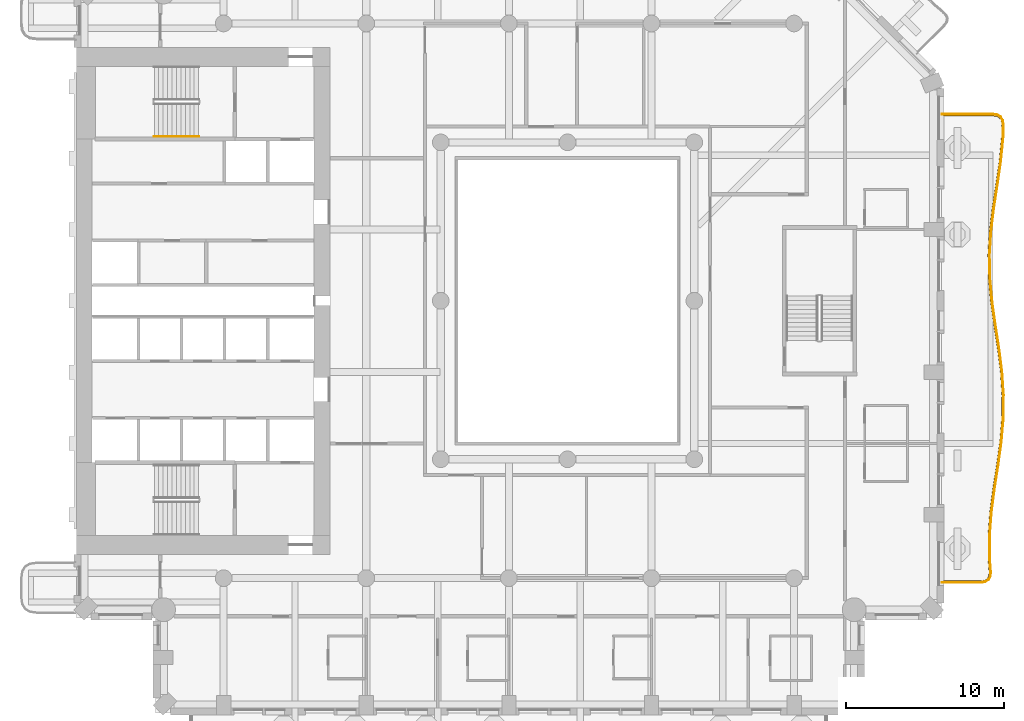
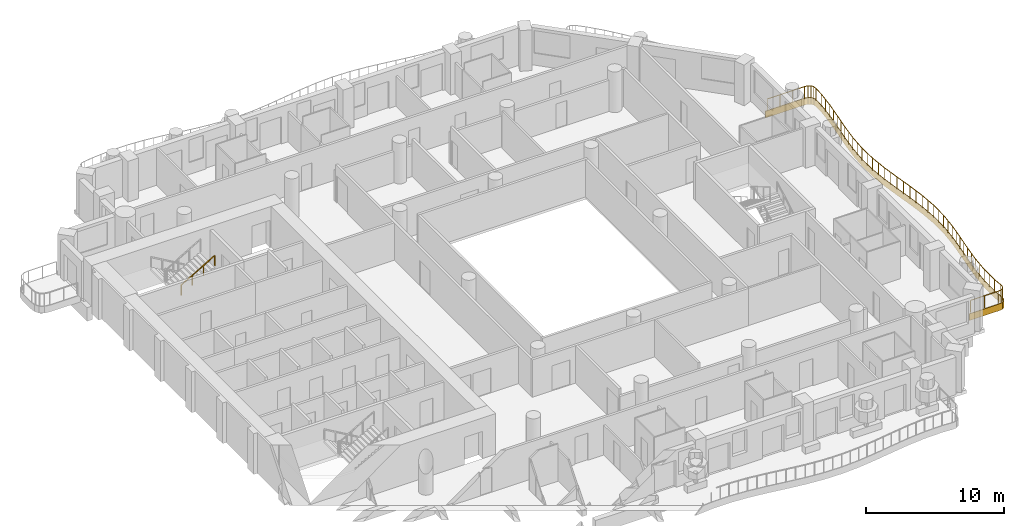
# One storey, part 15 of 19: 2 railings, 1 covering.
"""IFC4 building model written with IfcOpenShell, lengths in metres."""

from ifc_helpers import new_model, si_unit, direction, frame, origin, origin_2d, place, context, subcontext, project, spatial, polyline, rectangle, outline, extrude, material, layer, layer_set, type_object, element, save


model = new_model("IFC4")

# Units and contexts
model_context = context("Model", 3, precision=1e-05, world=origin(), true_north=direction((0.0, 1.0)))
body_context = subcontext(model_context, "Body", "Model", "MODEL_VIEW")
ifc_project = project(units=[si_unit("LENGTHUNIT", "METRE"), si_unit("AREAUNIT", "SQUARE_METRE"), si_unit("VOLUMEUNIT", "CUBIC_METRE"), si_unit("PLANEANGLEUNIT", "RADIAN"), si_unit("MASSUNIT", "GRAM", prefix="KILO")], contexts=[model_context])

# Site, building, storey
site_placement = place(None, origin())
site = spatial("IfcSite", under=ifc_project, at=site_placement, CompositionType="ELEMENT")
building_placement = place(site_placement, origin())
building = spatial("IfcBuilding", under=site, at=building_placement, Name="Cypress Arch Tower", CompositionType="ELEMENT")
storey_placement = place(building_placement, frame((0.0, 0.0, 105.89990234375)))
storey = spatial("IfcBuildingStorey", under=building, at=storey_placement, Name="L21", CompositionType="ELEMENT", Elevation=105.89990234375)

# Covering
ifc_material_1 = material(Name="White powder-coated aluminium fascia", Category="aluminium")
ifc_layer = layer(ifc_material_1, 0.050048828125)
ifc_layer_set = layer_set([ifc_layer], Name="Balcony fascia BF50")
covering_type = type_object("IfcCoveringType", Name="Balcony fascia BF50", PredefinedType="CLADDING", material=ifc_layer_set)
covering_placement = place(storey_placement, frame((0.0, 0.0, -0.599853515625)))
element("IfcCovering", 1, at=covering_placement, inside=storey, type_object=covering_type, Name="Balcony fascia L21-A06", PredefinedType="CLADDING", context=body_context, shape_type="SweptSolid", body=[
    extrude(outline(polyline([(27.837890625, 11.800048828125), (28.140869140625, 11.756591796875), (28.364990234375, 11.6201171875), (28.495361328125, 11.392578125), (28.531005859375, 11.08837890625), (28.509521484375, 10.27197265625), (28.3642578125, 8.7939453125), (28.150390625, 7.317626953125), (27.923583984375, 5.84326171875), (27.742919921875, 4.370361328125), (27.654296875, 2.89892578125), (27.68115234375, 1.427734375), (27.81640625, -0.044189453125), (28.025146484375, -1.517578125), (28.25341796875, -2.992919921875), (28.44189453125, -4.47021484375), (28.541748046875, -5.948486328125), (28.526611328125, -7.427490234375), (28.40087890625, -8.905517578125), (28.19677734375, -10.38232421875), (27.968017578125, -11.857177734375), (27.7734375, -13.330078125), (27.663330078125, -14.8017578125), (27.666259765625, -16.27294921875), (27.72998046875, -17.0859375), (27.710205078125, -17.390380859375), (27.59033203125, -17.619140625), (27.37158203125, -17.756591796875), (27.069580078125, -17.800048828125), (24.60107421875, -17.800048828125), (24.60107421875, -17.75), (27.06591796875, -17.75), (27.35400390625, -17.70849609375), (27.552490234375, -17.583984375), (27.660888671875, -17.376708984375), (27.679931640625, -17.086181640625), (27.616455078125, -16.27490234375), (27.61328125, -14.800048828125), (27.7236328125, -13.324951171875), (27.91845703125, -11.85009765625), (28.1474609375, -10.375), (28.35107421875, -8.89990234375), (28.476806640625, -7.425048828125), (28.49169921875, -5.949951171875), (28.39208984375, -4.47509765625), (28.203857421875, -3.0), (27.975830078125, -1.52490234375), (27.766845703125, -0.050048828125), (27.63134765625, 1.425048828125), (27.6044921875, 2.89990234375), (27.69287109375, 4.375), (27.874267578125, 5.85009765625), (28.100830078125, 7.324951171875), (28.314453125, 8.800048828125), (28.45947265625, 10.27490234375), (28.480712890625, 11.086181640625), (28.447021484375, 11.376708984375), (28.327880859375, 11.583984375), (28.123779296875, 11.70849609375), (27.834228515625, 11.75), (24.60107421875, 11.75), (24.60107421875, 11.800048828125), (27.837890625, 11.800048828125)])), origin(), (0.0, 0.0, 1.0), 0.599853515625),
])

# Railings
ifc_material_2 = material(Name="Powder-coated steel posts and rods, 100 mm clear between rods", Category="steel")
railing_type_1 = type_object("IfcRailingType", Name="Balcony guard GR1100", PredefinedType="GUARDRAIL", material=ifc_material_2)
railing_1_placement = place(storey_placement, frame((24.75, 11.699951171875, 0.0)))
element("IfcRailing", 2, at=railing_1_placement, inside=storey, type_object=railing_type_1, Name="Balcony guard L21-A06", PredefinedType="GUARDRAIL", context=body_context, shape_type="SweptSolid", body=[
    extrude(rectangle(XDim=0.050048828125, YDim=0.050048828125, at=origin_2d()), frame((0.0, 0.0, 1.0751953125), z_axis=(1.0, 0.0, 0.0), x_axis=(0.0, 1.0, 0.0)), (0.0, 0.0, 1.0), 3.080810546875),
    extrude(rectangle(XDim=0.050048828125, YDim=0.050048828125, at=origin_2d()), frame((3.080810546875, 0.0, 1.0751953125), z_axis=(0.989861627452, -0.142035060804, 0.0), x_axis=(0.142035060804, 0.989861627452, 0.0)), (0.0, 0.0, 1.0), 0.278564453125),
    extrude(rectangle(XDim=0.050048828125, YDim=0.050048828125, at=origin_2d()), frame((3.3564453125, -0.03955078125, 1.0751953125), z_axis=(0.854285826933, -0.519803545488, 0.0), x_axis=(0.519803545488, 0.854285826933, 0.0)), (0.0, 0.0, 1.0), 0.216064453125),
    extrude(rectangle(XDim=0.050048828125, YDim=0.050048828125, at=origin_2d()), frame((3.541015625, -0.15185546875, 1.0751953125), z_axis=(0.49711199272, -0.867686387293, 0.0), x_axis=(0.867686387293, 0.49711199272, 0.0)), (0.0, 0.0, 1.0), 0.216064453125),
    extrude(rectangle(XDim=0.050048828125, YDim=0.050048828125, at=origin_2d()), frame((3.6484375, -0.33935546875, 1.0751953125), z_axis=(0.115722131173, -0.993281625903, 0.0), x_axis=(0.993281625903, 0.115722131173, 0.0)), (0.0, 0.0, 1.0), 0.278564453125),
    extrude(rectangle(XDim=0.050048828125, YDim=0.050048828125, at=origin_2d()), frame((3.6806640625, -0.615966796875, 1.0751953125), z_axis=(-0.02604387424, -0.999660800779, 0.0), x_axis=(0.999660800779, -0.02604387424, 0.0)), (0.0, 0.0, 1.0), 0.80615234375),
    extrude(rectangle(XDim=0.050048828125, YDim=0.050048828125, at=origin_2d()), frame((3.65966796875, -1.421875, 1.0751953125), z_axis=(-0.097885589811, -0.995197674488, 0.0), x_axis=(0.995197674488, -0.097885589811, 0.0)), (0.0, 0.0, 1.0), 1.47900390625),
    extrude(rectangle(XDim=0.050048828125, YDim=0.050048828125, at=origin_2d()), frame((3.514892578125, -2.893798828125, 1.0751953125), z_axis=(-0.143280142127, -0.989682171645, 0.0), x_axis=(0.989682171645, -0.143280142127, 0.0)), (0.0, 0.0, 1.0), 1.4892578125),
    extrude(rectangle(XDim=0.050048828125, YDim=0.050048828125, at=origin_2d()), frame((3.301513671875, -4.36767578125, 1.0751953125), z_axis=(-0.151946568068, -0.988388709189, 0.0), x_axis=(0.988388709189, -0.151946568068, 0.0)), (0.0, 0.0, 1.0), 1.49267578125),
    extrude(rectangle(XDim=0.050048828125, YDim=0.050048828125, at=origin_2d()), frame((3.07470703125, -5.843017578125, 1.0751953125), z_axis=(-0.122035880486, -0.992525689277, 0.0), x_axis=(0.992525689277, -0.122035880486, 0.0)), (0.0, 0.0, 1.0), 1.488525390625),
    extrude(rectangle(XDim=0.050048828125, YDim=0.050048828125, at=origin_2d()), frame((2.89306640625, -7.3203125, 1.0751953125), z_axis=(-0.0598331648, -0.998208391264, 0.0), x_axis=(0.998208391264, -0.0598331648, 0.0)), (0.0, 0.0, 1.0), 1.481201171875),
    extrude(rectangle(XDim=0.050048828125, YDim=0.050048828125, at=origin_2d()), frame((2.804443359375, -8.798828125, 1.0751953125), z_axis=(0.018157811568, -0.999835133349, 0.0), x_axis=(0.999835133349, 0.018157811568, 0.0)), (0.0, 0.0, 1.0), 1.47900390625),
    extrude(rectangle(XDim=0.050048828125, YDim=0.050048828125, at=origin_2d()), frame((2.831298828125, -10.277587890625, 1.0751953125), z_axis=(0.091440243482, -0.995810565254, 0.0), x_axis=(0.995810565254, 0.091440243482, 0.0)), (0.0, 0.0, 1.0), 1.484375),
    extrude(rectangle(XDim=0.050048828125, YDim=0.050048828125, at=origin_2d()), frame((2.967041015625, -11.755859375, 1.0751953125), z_axis=(0.140320969103, -0.990106067869, 0.0), x_axis=(0.990106067869, 0.140320969103, 0.0)), (0.0, 0.0, 1.0), 1.490966796875),
    extrude(rectangle(XDim=0.050048828125, YDim=0.050048828125, at=origin_2d()), frame((3.17626953125, -13.232177734375, 1.0751953125), z_axis=(0.152794723353, -0.988257948369, 0.0), x_axis=(0.988257948369, 0.152794723353, 0.0)), (0.0, 0.0, 1.0), 1.492431640625),
    extrude(rectangle(XDim=0.050048828125, YDim=0.050048828125, at=origin_2d()), frame((3.404296875, -14.70703125, 1.0751953125), z_axis=(0.126625001179, -0.99195065859, 0.0), x_axis=(0.99195065859, 0.126625001179, 0.0)), (0.0, 0.0, 1.0), 1.484619140625),
    extrude(rectangle(XDim=0.050048828125, YDim=0.050048828125, at=origin_2d()), frame((3.59228515625, -16.1796875, 1.0751953125), z_axis=(0.067364874181, -0.997728406795, 0.0), x_axis=(0.997728406795, 0.067364874181, 0.0)), (0.0, 0.0, 1.0), 1.47509765625),
    extrude(rectangle(XDim=0.050048828125, YDim=0.050048828125, at=origin_2d()), frame((3.691650390625, -17.6513671875, 1.0751953125), z_axis=(-0.010122282587, -0.999948768385, 0.0), x_axis=(0.999948768385, -0.010122282587, 0.0)), (0.0, 0.0, 1.0), 1.47119140625),
    extrude(rectangle(XDim=0.050048828125, YDim=0.050048828125, at=origin_2d()), frame((3.6767578125, -19.12255859375, 1.0751953125), z_axis=(-0.084782375138, -0.996399492606, 0.0), x_axis=(0.996399492606, -0.084782375138, 0.0)), (0.0, 0.0, 1.0), 1.477294921875),
    extrude(rectangle(XDim=0.050048828125, YDim=0.050048828125, at=origin_2d()), frame((3.551513671875, -20.594482421875, 1.0751953125), z_axis=(-0.136915153649, -0.990582778319, 0.0), x_axis=(0.990582778319, -0.136915153649, 0.0)), (0.0, 0.0, 1.0), 1.487060546875),
    extrude(rectangle(XDim=0.050048828125, YDim=0.050048828125, at=origin_2d()), frame((3.347900390625, -22.067626953125, 1.0751953125), z_axis=(-0.15340892067, -0.98816279178, 0.0), x_axis=(0.98816279178, -0.15340892067, 0.0)), (0.0, 0.0, 1.0), 1.49267578125),
    extrude(rectangle(XDim=0.050048828125, YDim=0.050048828125, at=origin_2d()), frame((3.118896484375, -23.542724609375, 1.0751953125), z_axis=(-0.130929252819, -0.991391714085, 0.0), x_axis=(0.991391714085, -0.130929252819, 0.0)), (0.0, 0.0, 1.0), 1.489990234375),
    extrude(rectangle(XDim=0.050048828125, YDim=0.050048828125, at=origin_2d()), frame((2.923828125, -25.019775390625, 1.0751953125), z_axis=(-0.074441925424, -0.99722535053, 0.0), x_axis=(0.99722535053, -0.074441925424, 0.0)), (0.0, 0.0, 1.0), 1.482421875),
    extrude(rectangle(XDim=0.050048828125, YDim=0.050048828125, at=origin_2d()), frame((2.8134765625, -26.498046875, 1.0751953125), z_axis=(0.00198084788, -0.999998038119, 0.0), x_axis=(0.999998038119, 0.00198084788, 0.0)), (0.0, 0.0, 1.0), 1.47900390625),
    extrude(rectangle(XDim=0.050048828125, YDim=0.050048828125, at=origin_2d()), frame((2.81640625, -27.97705078125, 1.0751953125), z_axis=(0.077868990494, -0.996963600298, 0.0), x_axis=(0.996963600298, 0.077868990494, 0.0)), (0.0, 0.0, 1.0), 0.81201171875),
    extrude(rectangle(XDim=0.050048828125, YDim=0.050048828125, at=origin_2d()), frame((2.879638671875, -28.78662109375, 1.0751953125), z_axis=(-0.064410622486, -0.997923479888, 0.0), x_axis=(0.997923479888, -0.064410622486, 0.0)), (0.0, 0.0, 1.0), 0.276611328125),
    extrude(rectangle(XDim=0.050048828125, YDim=0.050048828125, at=origin_2d()), frame((2.86181640625, -29.062744140625, 1.0751953125), z_axis=(-0.46387666281, -0.885899792133, 0.0), x_axis=(0.885899792133, -0.46387666281, 0.0)), (0.0, 0.0, 1.0), 0.2099609375),
    extrude(rectangle(XDim=0.050048828125, YDim=0.050048828125, at=origin_2d()), frame((2.764404296875, -29.248779296875, 1.0751953125), z_axis=(-0.846756147172, -0.531981228265, 0.0), x_axis=(0.531981228265, -0.846756147172, 0.0)), (0.0, 0.0, 1.0), 0.210205078125),
    extrude(rectangle(XDim=0.050048828125, YDim=0.050048828125, at=origin_2d()), frame((2.58642578125, -29.360595703125, 1.0751953125), z_axis=(-0.989861078122, -0.142038889107, 0.0), x_axis=(0.142038889107, -0.989861078122, 0.0)), (0.0, 0.0, 1.0), 0.276611328125),
    extrude(rectangle(XDim=0.050048828125, YDim=0.050048828125, at=origin_2d()), frame((2.3125, -29.39990234375, 1.0751953125), z_axis=(-1.0, 0.0, 0.0), x_axis=(0.0, -1.0, 0.0)), (0.0, 0.0, 1.0), 2.3125),
    extrude(rectangle(XDim=0.0400390625, YDim=0.0400390625, at=origin_2d()), origin(), (0.0, 0.0, 1.0), 1.050048828125),
    extrude(rectangle(XDim=0.0400390625, YDim=0.0400390625, at=origin_2d()), frame((1.02685546875, 0.0, 0.0)), (0.0, 0.0, 1.0), 1.050048828125),
    extrude(rectangle(XDim=0.0400390625, YDim=0.0400390625, at=origin_2d()), frame((2.053955078125, 0.0, 0.0)), (0.0, 0.0, 1.0), 1.050048828125),
    extrude(rectangle(XDim=0.0400390625, YDim=0.0400390625, at=origin_2d()), frame((3.080810546875, 0.0, 0.0)), (0.0, 0.0, 1.0), 1.050048828125),
    extrude(rectangle(XDim=0.0400390625, YDim=0.0400390625, at=origin_2d()), frame((3.3564453125, -0.03955078125, 0.0)), (0.0, 0.0, 1.0), 1.050048828125),
    extrude(rectangle(XDim=0.0400390625, YDim=0.0400390625, at=origin_2d()), frame((3.541015625, -0.15185546875, 0.0)), (0.0, 0.0, 1.0), 1.050048828125),
    extrude(rectangle(XDim=0.0400390625, YDim=0.0400390625, at=origin_2d()), frame((3.6484375, -0.33935546875, 0.0)), (0.0, 0.0, 1.0), 1.050048828125),
    extrude(rectangle(XDim=0.0400390625, YDim=0.0400390625, at=origin_2d()), frame((3.6806640625, -0.615966796875, 0.0)), (0.0, 0.0, 1.0), 1.050048828125),
    extrude(rectangle(XDim=0.0400390625, YDim=0.0400390625, at=origin_2d()), frame((3.65966796875, -1.421875, 0.0)), (0.0, 0.0, 1.0), 1.050048828125),
    extrude(rectangle(XDim=0.0400390625, YDim=0.0400390625, at=origin_2d()), frame((3.58740234375, -2.15771484375, 0.0)), (0.0, 0.0, 1.0), 1.050048828125),
    extrude(rectangle(XDim=0.0400390625, YDim=0.0400390625, at=origin_2d()), frame((3.514892578125, -2.893798828125, 0.0)), (0.0, 0.0, 1.0), 1.050048828125),
    extrude(rectangle(XDim=0.0400390625, YDim=0.0400390625, at=origin_2d()), frame((3.408203125, -3.630859375, 0.0)), (0.0, 0.0, 1.0), 1.050048828125),
    extrude(rectangle(XDim=0.0400390625, YDim=0.0400390625, at=origin_2d()), frame((3.301513671875, -4.36767578125, 0.0)), (0.0, 0.0, 1.0), 1.050048828125),
    extrude(rectangle(XDim=0.0400390625, YDim=0.0400390625, at=origin_2d()), frame((3.18798828125, -5.10546875, 0.0)), (0.0, 0.0, 1.0), 1.050048828125),
    extrude(rectangle(XDim=0.0400390625, YDim=0.0400390625, at=origin_2d()), frame((3.07470703125, -5.843017578125, 0.0)), (0.0, 0.0, 1.0), 1.050048828125),
    extrude(rectangle(XDim=0.0400390625, YDim=0.0400390625, at=origin_2d()), frame((2.98388671875, -6.58154296875, 0.0)), (0.0, 0.0, 1.0), 1.050048828125),
    extrude(rectangle(XDim=0.0400390625, YDim=0.0400390625, at=origin_2d()), frame((2.89306640625, -7.3203125, 0.0)), (0.0, 0.0, 1.0), 1.050048828125),
    extrude(rectangle(XDim=0.0400390625, YDim=0.0400390625, at=origin_2d()), frame((2.8486328125, -8.0595703125, 0.0)), (0.0, 0.0, 1.0), 1.050048828125),
    extrude(rectangle(XDim=0.0400390625, YDim=0.0400390625, at=origin_2d()), frame((2.804443359375, -8.798828125, 0.0)), (0.0, 0.0, 1.0), 1.050048828125),
    extrude(rectangle(XDim=0.0400390625, YDim=0.0400390625, at=origin_2d()), frame((2.81787109375, -9.5380859375, 0.0)), (0.0, 0.0, 1.0), 1.050048828125),
    extrude(rectangle(XDim=0.0400390625, YDim=0.0400390625, at=origin_2d()), frame((2.831298828125, -10.277587890625, 0.0)), (0.0, 0.0, 1.0), 1.050048828125),
    extrude(rectangle(XDim=0.0400390625, YDim=0.0400390625, at=origin_2d()), frame((2.899169921875, -11.0166015625, 0.0)), (0.0, 0.0, 1.0), 1.050048828125),
    extrude(rectangle(XDim=0.0400390625, YDim=0.0400390625, at=origin_2d()), frame((2.967041015625, -11.755859375, 0.0)), (0.0, 0.0, 1.0), 1.050048828125),
    extrude(rectangle(XDim=0.0400390625, YDim=0.0400390625, at=origin_2d()), frame((3.07177734375, -12.494140625, 0.0)), (0.0, 0.0, 1.0), 1.050048828125),
    extrude(rectangle(XDim=0.0400390625, YDim=0.0400390625, at=origin_2d()), frame((3.17626953125, -13.232177734375, 0.0)), (0.0, 0.0, 1.0), 1.050048828125),
    extrude(rectangle(XDim=0.0400390625, YDim=0.0400390625, at=origin_2d()), frame((3.290283203125, -13.9697265625, 0.0)), (0.0, 0.0, 1.0), 1.050048828125),
    extrude(rectangle(XDim=0.0400390625, YDim=0.0400390625, at=origin_2d()), frame((3.404296875, -14.70703125, 0.0)), (0.0, 0.0, 1.0), 1.050048828125),
    extrude(rectangle(XDim=0.0400390625, YDim=0.0400390625, at=origin_2d()), frame((3.498291015625, -15.443359375, 0.0)), (0.0, 0.0, 1.0), 1.050048828125),
    extrude(rectangle(XDim=0.0400390625, YDim=0.0400390625, at=origin_2d()), frame((3.59228515625, -16.1796875, 0.0)), (0.0, 0.0, 1.0), 1.050048828125),
    extrude(rectangle(XDim=0.0400390625, YDim=0.0400390625, at=origin_2d()), frame((3.64208984375, -16.91552734375, 0.0)), (0.0, 0.0, 1.0), 1.050048828125),
    extrude(rectangle(XDim=0.0400390625, YDim=0.0400390625, at=origin_2d()), frame((3.691650390625, -17.6513671875, 0.0)), (0.0, 0.0, 1.0), 1.050048828125),
    extrude(rectangle(XDim=0.0400390625, YDim=0.0400390625, at=origin_2d()), frame((3.68408203125, -18.386962890625, 0.0)), (0.0, 0.0, 1.0), 1.050048828125),
    extrude(rectangle(XDim=0.0400390625, YDim=0.0400390625, at=origin_2d()), frame((3.6767578125, -19.12255859375, 0.0)), (0.0, 0.0, 1.0), 1.050048828125),
    extrude(rectangle(XDim=0.0400390625, YDim=0.0400390625, at=origin_2d()), frame((3.6142578125, -19.8583984375, 0.0)), (0.0, 0.0, 1.0), 1.050048828125),
    extrude(rectangle(XDim=0.0400390625, YDim=0.0400390625, at=origin_2d()), frame((3.551513671875, -20.594482421875, 0.0)), (0.0, 0.0, 1.0), 1.050048828125),
    extrude(rectangle(XDim=0.0400390625, YDim=0.0400390625, at=origin_2d()), frame((3.44970703125, -21.3310546875, 0.0)), (0.0, 0.0, 1.0), 1.050048828125),
    extrude(rectangle(XDim=0.0400390625, YDim=0.0400390625, at=origin_2d()), frame((3.347900390625, -22.067626953125, 0.0)), (0.0, 0.0, 1.0), 1.050048828125),
    extrude(rectangle(XDim=0.0400390625, YDim=0.0400390625, at=origin_2d()), frame((3.2333984375, -22.80517578125, 0.0)), (0.0, 0.0, 1.0), 1.050048828125),
    extrude(rectangle(XDim=0.0400390625, YDim=0.0400390625, at=origin_2d()), frame((3.118896484375, -23.542724609375, 0.0)), (0.0, 0.0, 1.0), 1.050048828125),
    extrude(rectangle(XDim=0.0400390625, YDim=0.0400390625, at=origin_2d()), frame((3.021484375, -24.28125, 0.0)), (0.0, 0.0, 1.0), 1.050048828125),
    extrude(rectangle(XDim=0.0400390625, YDim=0.0400390625, at=origin_2d()), frame((2.923828125, -25.019775390625, 0.0)), (0.0, 0.0, 1.0), 1.050048828125),
    extrude(rectangle(XDim=0.0400390625, YDim=0.0400390625, at=origin_2d()), frame((2.86865234375, -25.7587890625, 0.0)), (0.0, 0.0, 1.0), 1.050048828125),
    extrude(rectangle(XDim=0.0400390625, YDim=0.0400390625, at=origin_2d()), frame((2.8134765625, -26.498046875, 0.0)), (0.0, 0.0, 1.0), 1.050048828125),
    extrude(rectangle(XDim=0.0400390625, YDim=0.0400390625, at=origin_2d()), frame((2.81494140625, -27.237548828125, 0.0)), (0.0, 0.0, 1.0), 1.050048828125),
    extrude(rectangle(XDim=0.0400390625, YDim=0.0400390625, at=origin_2d()), frame((2.81640625, -27.97705078125, 0.0)), (0.0, 0.0, 1.0), 1.050048828125),
    extrude(rectangle(XDim=0.0400390625, YDim=0.0400390625, at=origin_2d()), frame((2.879638671875, -28.78662109375, 0.0)), (0.0, 0.0, 1.0), 1.050048828125),
    extrude(rectangle(XDim=0.0400390625, YDim=0.0400390625, at=origin_2d()), frame((2.86181640625, -29.062744140625, 0.0)), (0.0, 0.0, 1.0), 1.050048828125),
    extrude(rectangle(XDim=0.0400390625, YDim=0.0400390625, at=origin_2d()), frame((2.764404296875, -29.248779296875, 0.0)), (0.0, 0.0, 1.0), 1.050048828125),
    extrude(rectangle(XDim=0.0400390625, YDim=0.0400390625, at=origin_2d()), frame((2.58642578125, -29.360595703125, 0.0)), (0.0, 0.0, 1.0), 1.050048828125),
    extrude(rectangle(XDim=0.0400390625, YDim=0.0400390625, at=origin_2d()), frame((2.3125, -29.39990234375, 0.0)), (0.0, 0.0, 1.0), 1.050048828125),
    extrude(rectangle(XDim=0.0400390625, YDim=0.0400390625, at=origin_2d()), frame((1.15625, -29.39990234375, 0.0)), (0.0, 0.0, 1.0), 1.050048828125),
    extrude(rectangle(XDim=0.0400390625, YDim=0.0400390625, at=origin_2d()), frame((0.0, -29.39990234375, 0.0)), (0.0, 0.0, 1.0), 1.050048828125),
])
ifc_material_3 = material(Name="Black powder-coated steel square bar 48 mm", Category="steel")
railing_type_2 = type_object("IfcRailingType", Name="Stair handrail HR1", PredefinedType="HANDRAIL", material=ifc_material_3)
railing_2_placement = place(storey_placement, frame((-25.074951171875, 10.375, 1.963623046875)))
element("IfcRailing", 3, at=railing_2_placement, inside=storey, type_object=railing_type_2, Name="L21 B stair handrail 2", PredefinedType="HANDRAIL", context=body_context, shape_type="SweptSolid", body=[
    extrude(rectangle(XDim=0.048095703125, YDim=0.048095703125, at=origin_2d()), frame((0.0, 0.0, 0.8759765625), z_axis=(0.863360870873, 0.0, 0.504586966384), x_axis=(0.0, 1.0, 0.0)), (0.0, 0.0, 1.0), 3.2431640625),
    extrude(rectangle(XDim=0.0419921875, YDim=0.0419921875, at=origin_2d()), origin(), (0.0, 0.0, 1.0), 0.851806640625),
    extrude(rectangle(XDim=0.0419921875, YDim=0.0419921875, at=origin_2d()), frame((0.933349609375, 0.0, 0.54541015625)), (0.0, 0.0, 1.0), 0.851806640625),
    extrude(rectangle(XDim=0.0419921875, YDim=0.0419921875, at=origin_2d()), frame((1.86669921875, 0.0, 1.091064453125)), (0.0, 0.0, 1.0), 0.851806640625),
    extrude(rectangle(XDim=0.0419921875, YDim=0.0419921875, at=origin_2d()), frame((2.800048828125, 0.0, 1.636474609375)), (0.0, 0.0, 1.0), 0.851806640625),
])

save(model, "model.ifc")
